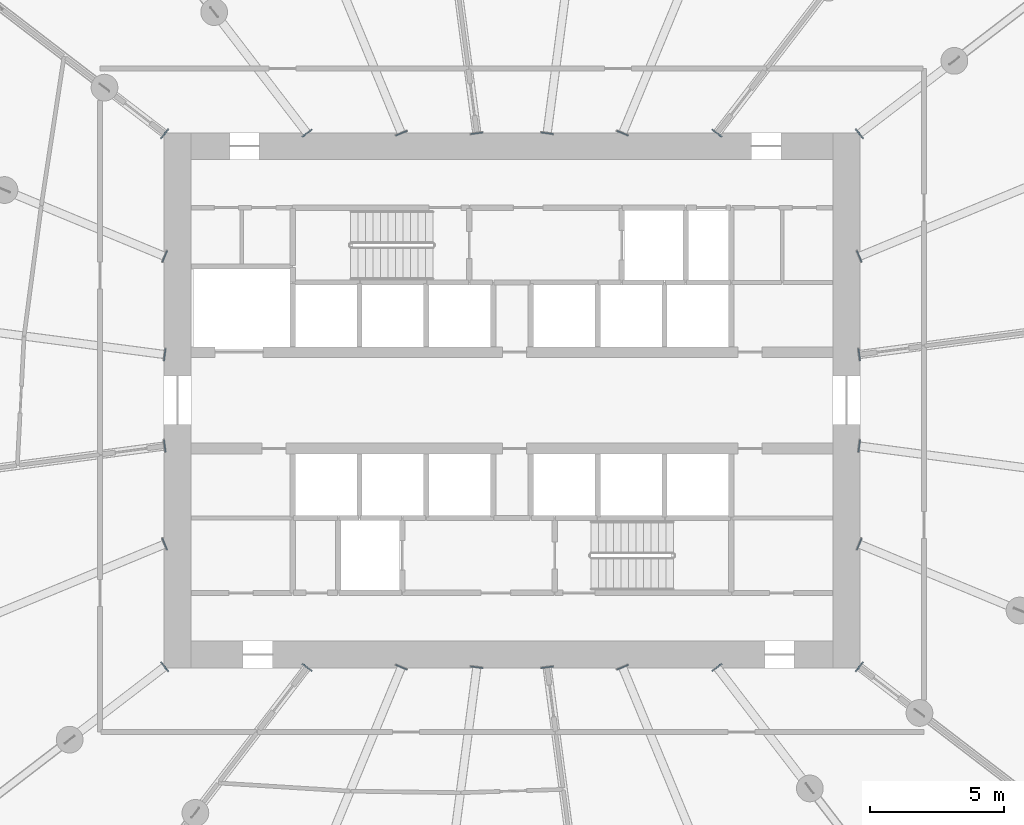
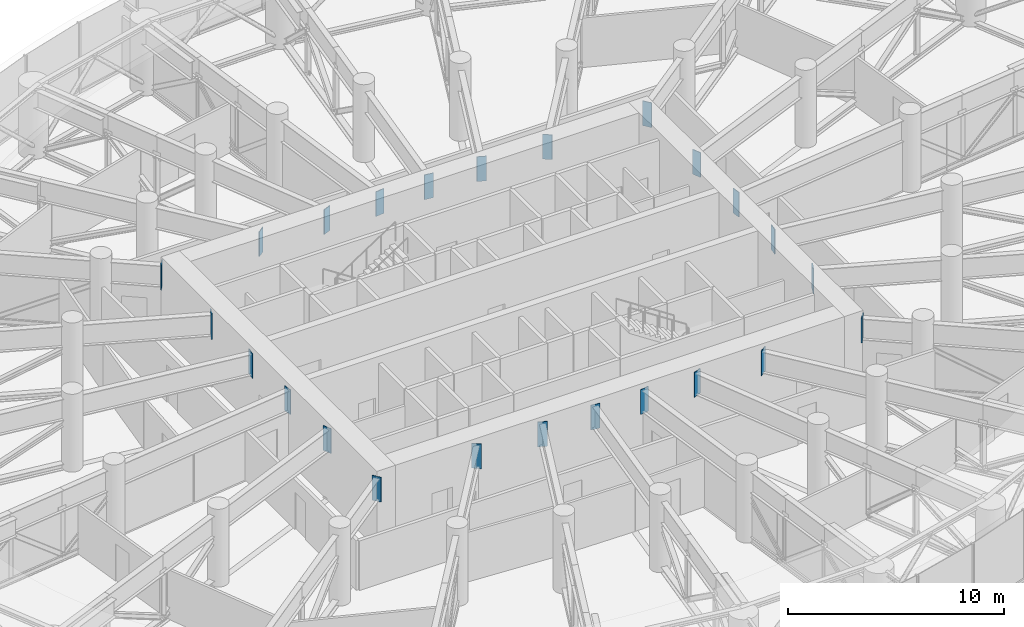
# One storey, part 26 of 42: 24 discrete accessories.
"""IFC4 building model written with IfcOpenShell, lengths in metres."""

from ifc_helpers import new_model, si_unit, direction, frame, origin, origin_2d, place, context, subcontext, project, spatial, rectangle, extrude, source, transform, mapped, material, layer, layer_set, type_object, element, save


model = new_model("IFC4")

# Units and contexts
model_context = context("Model", 3, precision=1e-05, world=origin(), true_north=direction((0.0, 1.0)))
body_context = subcontext(model_context, "Body", "Model", "MODEL_VIEW")
ifc_project = project(units=[si_unit("LENGTHUNIT", "METRE"), si_unit("AREAUNIT", "SQUARE_METRE"), si_unit("VOLUMEUNIT", "CUBIC_METRE"), si_unit("PLANEANGLEUNIT", "RADIAN"), si_unit("MASSUNIT", "GRAM", prefix="KILO")], contexts=[model_context])

# Site, building, storey
site_placement = place(None, origin())
site = spatial("IfcSite", under=ifc_project, at=site_placement, CompositionType="ELEMENT")
building_placement = place(site_placement, origin())
building = spatial("IfcBuilding", under=site, at=building_placement, Name="Spindrift Exchange Tower", CompositionType="ELEMENT")
storey_placement = place(building_placement, frame((0.0, 0.0, 75.39990234375)))
storey = spatial("IfcBuildingStorey", under=building, at=storey_placement, Name="L17", CompositionType="ELEMENT", Elevation=75.39990234375)

# Discrete accessories
ifc_material = material(Name="Steel Grade 350", Category="steel")
ifc_layer = layer(ifc_material, 0.0400390625)
ifc_layer_set = layer_set([ifc_layer], Name="Cast-in plate 450x1400x40 Steel Grade 350")
discrete_accessory_type = type_object("IfcDiscreteAccessoryType", Name="Cast-in plate 450x1400x40 Steel Grade 350", PredefinedType="USERDEFINED", material=ifc_layer_set)
shared_shape = source(origin(), body_context, "Body", "SweptSolid", [
    extrude(rectangle(XDim=0.0400390625, YDim=0.449951171875, at=origin_2d()), origin(), (0.0, 0.0, 1.0), 1.39990234375),
])
for number, where, z_axis, x_axis, name in (
    (1, (64.980224609375, 49.708984375, 2.7001953125), (0.0, 0.0, 1.0), (0.991444861374, 0.13052619222, 0.0), "L17 cast-in plate CP1 01"),
    (2, (64.9814453125, 53.377197265625, 2.7001953125), (0.0, 0.0, 1.0), (0.923879532511, 0.382683432365, 0.0), "L17 cast-in plate CP1 02"),
    (3, (64.984130859375, 57.963134765625, 2.7001953125), (0.0, 0.0, 1.0), (0.793353340291, 0.608761429009, 0.0), "L17 cast-in plate CP1 03"),
    (4, (59.6611328125, 57.984130859375, 2.7001953125), (0.0, 0.0, 1.0), (0.608761429009, 0.793353340291, 0.0), "L17 cast-in plate CP1 04"),
    (5, (56.134521484375, 57.9814453125, 2.7001953125), (0.0, 0.0, 1.0), (0.382683432365, 0.923879532511, 0.0), "L17 cast-in plate CP1 05"),
    (6, (53.31396484375, 57.980224609375, 2.7001953125), (0.0, 0.0, 1.0), (0.13052619222, 0.991444861374, 0.0), "L17 cast-in plate CP1 06"),
    (7, (50.68603515625, 57.980224609375, 2.7001953125), (0.0, 0.0, 1.0), (-0.13052619222, 0.991444861374, 0.0), "L17 cast-in plate CP1 07"),
    (8, (47.865478515625, 57.9814453125, 2.7001953125), (0.0, 0.0, 1.0), (-0.382683432365, 0.923879532511, 0.0), "L17 cast-in plate CP1 08"),
    (9, (44.3388671875, 57.984130859375, 2.7001953125), (0.0, 0.0, 1.0), (-0.608761429009, 0.793353340291, 0.0), "L17 cast-in plate CP1 09"),
    (10, (39.015869140625, 57.963134765625, 2.7001953125), (0.0, 0.0, 1.0), (-0.793353340291, 0.608761429009, 0.0), "L17 cast-in plate CP1 10"),
    (11, (39.0185546875, 53.377197265625, 2.7001953125), (0.0, 0.0, 1.0), (-0.923879532511, 0.382683432365, 0.0), "L17 cast-in plate CP1 11"),
    (12, (39.019775390625, 49.708984375, 2.7001953125), (0.0, 0.0, 1.0), (-0.991444861374, 0.13052619222, 0.0), "L17 cast-in plate CP1 12"),
    (13, (39.019775390625, 46.291015625, 2.7001953125), (0.0, 0.0, 1.0), (-0.991444861374, -0.13052619222, 0.0), "L17 cast-in plate CP1 13"),
    (14, (39.0185546875, 42.622802734375, 2.7001953125), (0.0, 0.0, 1.0), (-0.923879532511, -0.382683432365, 0.0), "L17 cast-in plate CP1 14"),
    (15, (39.015869140625, 38.036865234375, 2.7001953125), (0.0, 0.0, 1.0), (-0.793353340291, -0.608761429009, 0.0), "L17 cast-in plate CP1 15"),
    (16, (44.3388671875, 38.015869140625, 2.7001953125), (0.0, 0.0, 1.0), (-0.608761429009, -0.793353340291, 0.0), "L17 cast-in plate CP1 16"),
    (17, (47.865478515625, 38.0185546875, 2.7001953125), (0.0, 0.0, 1.0), (-0.382683432365, -0.923879532511, 0.0), "L17 cast-in plate CP1 17"),
    (18, (50.68603515625, 38.019775390625, 2.7001953125), (0.0, 0.0, 1.0), (-0.13052619222, -0.991444861374, 0.0), "L17 cast-in plate CP1 18"),
    (19, (53.31396484375, 38.019775390625, 2.7001953125), (0.0, 0.0, 1.0), (0.13052619222, -0.991444861374, 0.0), "L17 cast-in plate CP1 19"),
    (20, (56.134521484375, 38.0185546875, 2.7001953125), (0.0, 0.0, 1.0), (0.382683432365, -0.923879532511, 0.0), "L17 cast-in plate CP1 20"),
    (21, (59.6611328125, 38.015869140625, 2.7001953125), (0.0, 0.0, 1.0), (0.608761429009, -0.793353340291, 0.0), "L17 cast-in plate CP1 21"),
    (22, (64.984130859375, 38.036865234375, 2.7001953125), (0.0, 0.0, 1.0), (0.793353340291, -0.608761429009, 0.0), "L17 cast-in plate CP1 22"),
    (23, (64.9814453125, 42.622802734375, 2.7001953125), (0.0, 0.0, 1.0), (0.923879532511, -0.382683432365, 0.0), "L17 cast-in plate CP1 23"),
    (24, (64.980224609375, 46.291015625, 2.7001953125), (0.0, 0.0, 1.0), (0.991444861374, -0.13052619222, 0.0), "L17 cast-in plate CP1 24"),
):
    element("IfcDiscreteAccessory", number, at=place(storey_placement, frame(where, z_axis=z_axis, x_axis=x_axis)), inside=storey, type_object=discrete_accessory_type, Name=name, ObjectType="Cast-in plate", PredefinedType="USERDEFINED", context=body_context, shape_type="MappedRepresentation", body=[
        mapped(shared_shape, transform((0.0, 0.0, 0.0), scale=1.0)),
    ])

save(model, "model.ifc")
